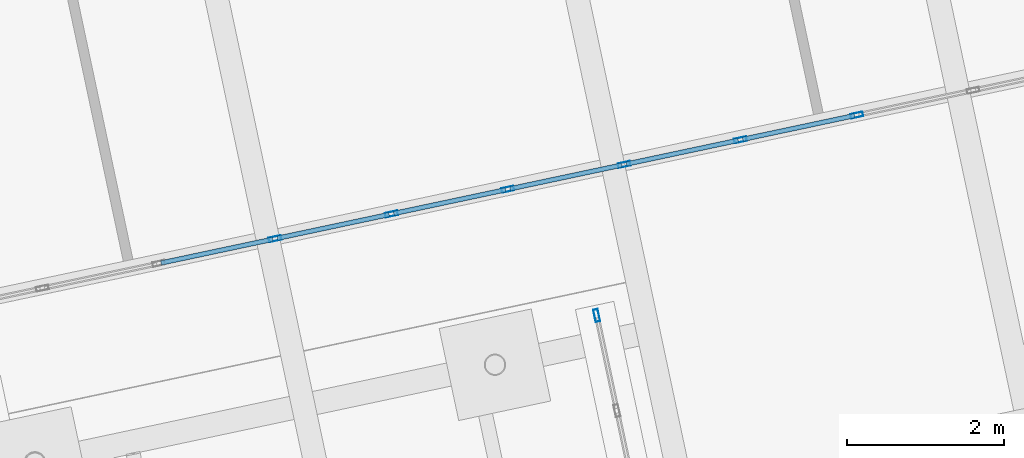
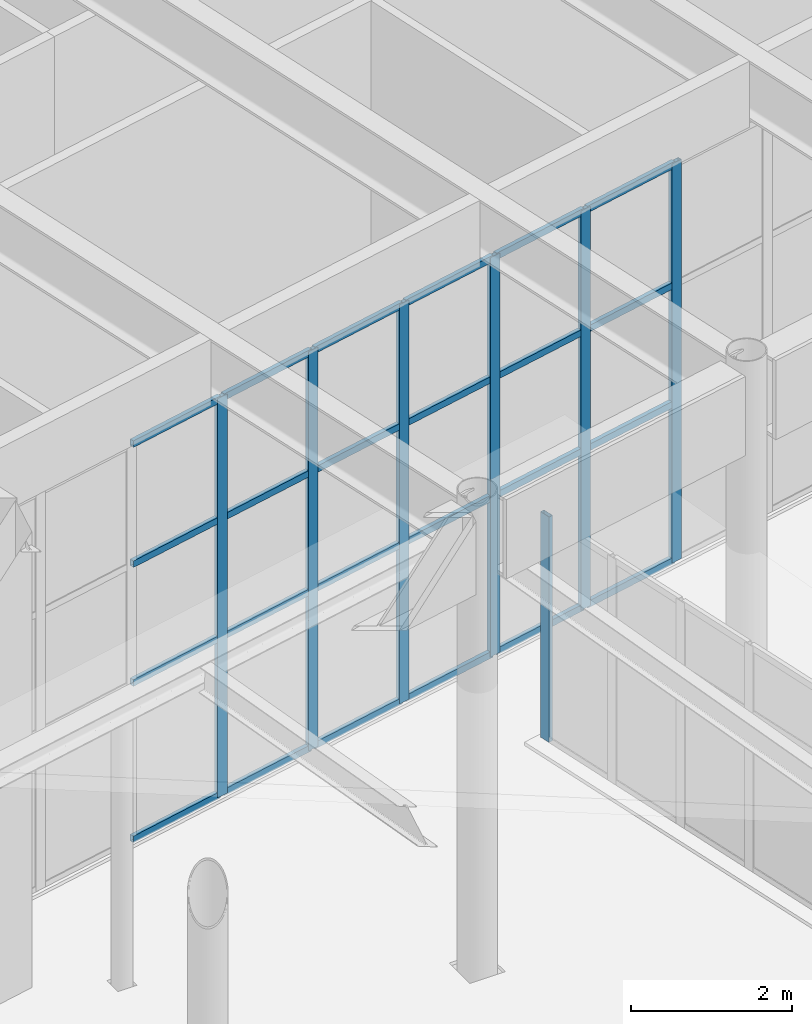
# One storey, part 85 of 239: 31 members, 2 elements without a shape of their own.
"""IFC4 building model written with IfcOpenShell, lengths in metres."""

import ifcopenshell
import ifcopenshell.guid

model = None  # the IFC model being written
_history = None  # IfcOwnerHistory: only IFC2X3 demands one
_inside = {}  # id of a spatial element -> (the spatial element, [elements in it])
_under = {}  # id of a project, library or spatial element -> (it, [spatial elements below it])
_declared = {}  # id of a project -> (the project, [libraries it declares])
_typed = {}  # id of a type object -> (the type object, [elements of that type])
_made_of = {}  # id of a material, layer set ... -> (it, [elements and type objects made of it])


def new_model(schema):
    """Start an empty IFC model of exactly this schema.

    Asked for "IFC4X3", IfcOpenShell would pick the latest addendum, in which some entities
    have other attributes; the version numbers below select the first issue.
    IFC2X3 requires an IfcOwnerHistory on every rooted entity: one is made here for all.
    """
    global model, _history
    if schema == "IFC4X3":
        model = ifcopenshell.file(schema_version=(4, 3, 0, 0))
    else:
        model = ifcopenshell.file(schema=schema)
    _inside.clear()
    _under.clear()
    _declared.clear()
    _typed.clear()
    _made_of.clear()
    _history = None
    if model.schema == "IFC2X3":
        org = make("IfcOrganization", Name="unknown")
        user = make(
            "IfcPersonAndOrganization",
            ThePerson=make("IfcPerson", FamilyName="unknown"),
            TheOrganization=org,
        )
        app = make(
            "IfcApplication",
            ApplicationDeveloper=org,
            Version="unknown",
            ApplicationFullName="unknown",
            ApplicationIdentifier="unknown",
        )
        _history = make(
            "IfcOwnerHistory",
            OwningUser=user,
            OwningApplication=app,
            ChangeAction="ADDED",
            CreationDate=0,
        )
    return model


def make(cls, **values):
    """One entity of the class cls with the attributes given. An attribute that is None is left unset."""
    return model.create_entity(
        cls, **{name: value for name, value in values.items() if value is not None}
    )


def rooted(cls, **values):
    """An entity with a GlobalId (a new one), such as an element, a storey or a relation."""
    return make(cls, GlobalId=ifcopenshell.guid.new(), OwnerHistory=_history, **values)


def si_unit(unit_type, name, prefix=None):
    """IfcSIUnit, for example si_unit("LENGTHUNIT", "METRE", prefix="MILLI")."""
    return make("IfcSIUnit", UnitType=unit_type, Prefix=prefix, Name=name)


def assignment(units):
    """IfcUnitAssignment: the units of a project."""
    return None if units is None else make("IfcUnitAssignment", Units=units)


def point(xyz):
    """IfcCartesianPoint."""
    return None if xyz is None else make("IfcCartesianPoint", Coordinates=xyz)


def direction(xyz):
    """IfcDirection."""
    return None if xyz is None else make("IfcDirection", DirectionRatios=xyz)


def frame(location, z_axis=None, x_axis=None):
    """IfcAxis2Placement3D, a coordinate frame: its origin and axes. An axis left out is left unset."""
    return make(
        "IfcAxis2Placement3D",
        Location=point(location),
        Axis=direction(z_axis),
        RefDirection=direction(x_axis),
    )


def frame_2d(location, x_axis=None):
    """IfcAxis2Placement2D, a coordinate frame in the plane: its origin and x axis."""
    return make(
        "IfcAxis2Placement2D", Location=point(location), RefDirection=direction(x_axis)
    )


def origin():
    """The frame at (0, 0, 0) with its axes left unset."""
    return frame((0.0, 0.0, 0.0))


def origin_2d():
    """The frame at (0, 0) in the plane with its x axis left unset."""
    return frame_2d((0.0, 0.0))


def place(relative_to, where):
    """IfcLocalPlacement: puts the frame where relative to a parent placement (None: the world)."""
    return make(
        "IfcLocalPlacement", PlacementRelTo=relative_to, RelativePlacement=where
    )


def context(
    kind, dimensions, precision=None, world=None, true_north=None, identifier=None
):
    """IfcGeometricRepresentationContext, for example the 3D "Model" context."""
    return make(
        "IfcGeometricRepresentationContext",
        ContextIdentifier=identifier,
        ContextType=kind,
        CoordinateSpaceDimension=dimensions,
        Precision=precision,
        WorldCoordinateSystem=world,
        TrueNorth=true_north,
    )


def subcontext(parent, identifier, kind, view, scale=None):
    """IfcGeometricRepresentationSubContext, for example "Body" below "Model"."""
    return make(
        "IfcGeometricRepresentationSubContext",
        ContextIdentifier=identifier,
        ContextType=kind,
        ParentContext=parent,
        TargetScale=scale,
        TargetView=view,
    )


def project(units=None, contexts=None):
    """IfcProject with its units and contexts."""
    return rooted(
        "IfcProject",
        Name="project",
        RepresentationContexts=contexts,
        UnitsInContext=assignment(units),
    )


def spatial(cls, under=None, at=None, **own):
    """A site, building, storey or space (cls), placed at a placement, below another one or the project."""
    s = rooted(cls, ObjectPlacement=at, **own)
    if under is not None:
        _under.setdefault(under.id(), (under, []))[1].append(s)
    return s


def profile(cls, at=None, kind="AREA", **sizes):
    """A parametric profile (cls). Its sizes go by their IFC names, for example OverallWidth=200.0."""
    return make(cls, ProfileType=kind, Position=at, **sizes)


def hollow_rectangle(**sizes):
    """IfcRectangleHollowProfileDef."""
    return profile("IfcRectangleHollowProfileDef", **sizes)


def extrude(swept, where, along, depth):
    """IfcExtrudedAreaSolid: the profile swept, set in the frame where, extruded along a direction by depth."""
    return make(
        "IfcExtrudedAreaSolid",
        SweptArea=swept,
        Position=where,
        ExtrudedDirection=direction(along),
        Depth=depth,
    )


def shape(context_of_items, identifier, shape_type, items):
    """IfcShapeRepresentation: the items that make up one representation, for example the "Body"."""
    return make(
        "IfcShapeRepresentation",
        ContextOfItems=context_of_items,
        RepresentationIdentifier=identifier,
        RepresentationType=shape_type,
        Items=items,
    )


def material(Name=None, Category=None):
    """IfcMaterial."""
    return make("IfcMaterial", Name=Name, Category=Category)


def material_profile(
    of_material, cross_section, Name=None, Category=None, Priority=None
):
    """IfcMaterialProfile: a cross section and its material."""
    return make(
        "IfcMaterialProfile",
        Name=Name,
        Material=of_material,
        Profile=cross_section,
        Priority=Priority,
        Category=Category,
    )


def profile_set(profiles, Name=None, composite=None):
    """IfcMaterialProfileSet."""
    return make(
        "IfcMaterialProfileSet",
        Name=Name,
        MaterialProfiles=profiles,
        CompositeProfile=composite,
    )


def made_of(thing, what):
    """Note that an element or type object is made of a material, layer set ...; save() writes the relation."""
    if what is not None:
        _made_of.setdefault(what.id(), (what, []))[1].append(thing)
    return thing


def type_object(cls, material=None, **own):
    """A type object (cls), such as IfcWallType, which elements share."""
    return made_of(rooted(cls, **own), material)


def element(
    cls,
    number,
    at=None,
    inside=None,
    cuts=None,
    type_object=None,
    material=None,
    context=None,
    identifier="Body",
    shape_type=None,
    held_by="IfcProductDefinitionShape",
    body=None,
    shapes=None,
    **own,
):
    """One element of the class cls, such as IfcWall. Its Tag is "e" and its number.

    at: its placement. inside: the storey or other place that contains it. cuts: it is an
    opening in that element (IfcRelVoidsElement). A single representation is given by context,
    identifier, shape_type and body (its items); several are given by shapes. held_by: the class
    of the entity that holds the representations. save() writes the other relations.
    """
    e = rooted(cls, Tag="e%d" % number, ObjectPlacement=at, **own)
    if body is not None:
        shapes = [shape(context, identifier, shape_type, body)]
    if shapes is not None:
        e.Representation = make(held_by, Representations=shapes)
    if inside is not None:
        _inside.setdefault(inside.id(), (inside, []))[1].append(e)
    if cuts is not None:
        rooted(
            "IfcRelVoidsElement", RelatingBuildingElement=cuts, RelatedOpeningElement=e
        )
    if type_object is not None:
        _typed.setdefault(type_object.id(), (type_object, []))[1].append(e)
    return made_of(e, material)


def aggregate(whole, parts):
    """IfcRelAggregates: a whole, such as a stair, and the parts it consists of."""
    return rooted("IfcRelAggregates", RelatingObject=whole, RelatedObjects=parts)


def save(model, path):
    """Write the relations noted so far, then the file.

    IfcRelAggregates (storeys below a building ...), IfcRelContainedInSpatialStructure (elements
    in a storey), IfcRelDefinesByType, IfcRelAssociatesMaterial and IfcRelDeclares: one each for
    every whole, place, type object, material and project.
    """
    for whole, parts in _under.values():
        aggregate(whole, parts)
    for where, things in _inside.values():
        rooted(
            "IfcRelContainedInSpatialStructure",
            RelatedElements=things,
            RelatingStructure=where,
        )
    for kind, things in _typed.values():
        rooted("IfcRelDefinesByType", RelatedObjects=things, RelatingType=kind)
    for what, things in _made_of.values():
        rooted("IfcRelAssociatesMaterial", RelatedObjects=things, RelatingMaterial=what)
    for by, libraries in _declared.values():
        rooted("IfcRelDeclares", RelatingContext=by, RelatedDefinitions=libraries)
    model.write(path)


model = new_model("IFC4")

# Units and contexts
model_context = context("Model", 3, precision=1e-05, world=origin(), true_north=direction((0.0, 1.0)))
body_context = subcontext(model_context, "Body", "Model", "MODEL_VIEW")
ifc_project = project(units=[si_unit("LENGTHUNIT", "METRE"), si_unit("AREAUNIT", "SQUARE_METRE"), si_unit("VOLUMEUNIT", "CUBIC_METRE"), si_unit("PLANEANGLEUNIT", "RADIAN"), si_unit("MASSUNIT", "GRAM", prefix="KILO")], contexts=[model_context])

# Site, building, storey
site_placement = place(None, origin())
site = spatial("IfcSite", under=ifc_project, at=site_placement, CompositionType="ELEMENT")
building_placement = place(site_placement, origin())
building = spatial("IfcBuilding", under=site, at=building_placement, Name="Okhra Congress Centre", CompositionType="ELEMENT")
storey_placement = place(building_placement, origin())
storey = spatial("IfcBuildingStorey", under=building, at=storey_placement, Name="L00", CompositionType="ELEMENT", Elevation=0.0)

# Curtain wall, members
ifc_material_1 = material(Name="Aluminium curtain wall, triple glazing", Category="aluminium")
curtain_wall_type_1 = type_object("IfcCurtainWallType", Name="Curtain wall 1500 module", PredefinedType="NOTDEFINED", material=ifc_material_1)
curtain_wall_1_placement = place(storey_placement, origin())
curtain_wall_1 = element("IfcCurtainWall", 1, at=curtain_wall_1_placement, inside=storey, type_object=curtain_wall_type_1, Name="Ground curtain wall S4", PredefinedType="NOTDEFINED")
ifc_material_2 = material(Name="Aluminium alloy EN AW-6063 T66", Category="aluminium")
ifc_material_profile_1 = material_profile(ifc_material_2, hollow_rectangle(XDim=0.06005859375, YDim=0.159912109375, WallThickness=0.00390625, at=origin_2d()), Name="RHS 60x160x4")
ifc_profile_set_1 = profile_set([ifc_material_profile_1], Name="Aluminium alloy EN AW-6063 T66")
member_type_1 = type_object("IfcMemberType", Name="Curtain wall mullion 60x160", PredefinedType="MULLION", material=ifc_profile_set_1)
member_1_placement = place(storey_placement, frame((152.525634765625, 51.224853515625, 0.0), z_axis=(0.0, 0.0, 1.0), x_axis=(-0.207911690818, 0.978147600734, 0.0)))
member_1 = element("IfcMember", 2, at=member_1_placement, type_object=member_type_1, Name="CW7 mullion 4", PredefinedType="MULLION", context=body_context, shape_type="SweptSolid", body=[
    extrude(hollow_rectangle(XDim=0.06005859375, YDim=0.159912109375, WallThickness=0.00390625, at=origin_2d()), origin(), (0.0, 0.0, 1.0), 6.050048828125),
])
member_2_placement = place(storey_placement, frame((154.009521484375, 51.5400390625, 0.0), z_axis=(0.0, 0.0, 1.0), x_axis=(-0.207911690818, 0.978147600734, 0.0)))
member_2 = element("IfcMember", 3, at=member_2_placement, type_object=member_type_1, Name="CW7 mullion 5", PredefinedType="MULLION", context=body_context, shape_type="SweptSolid", body=[
    extrude(hollow_rectangle(XDim=0.06005859375, YDim=0.159912109375, WallThickness=0.00390625, at=origin_2d()), origin(), (0.0, 0.0, 1.0), 6.050048828125),
])
member_3_placement = place(storey_placement, frame((155.493408203125, 51.85546875, 0.0), z_axis=(0.0, 0.0, 1.0), x_axis=(-0.207911690818, 0.978147600734, 0.0)))
member_3 = element("IfcMember", 4, at=member_3_placement, type_object=member_type_1, Name="CW7 mullion 6", PredefinedType="MULLION", context=body_context, shape_type="SweptSolid", body=[
    extrude(hollow_rectangle(XDim=0.06005859375, YDim=0.159912109375, WallThickness=0.00390625, at=origin_2d()), origin(), (0.0, 0.0, 1.0), 6.050048828125),
])
member_4_placement = place(storey_placement, frame((156.977294921875, 52.1708984375, 0.0), z_axis=(0.0, 0.0, 1.0), x_axis=(-0.207911690818, 0.978147600734, 0.0)))
member_4 = element("IfcMember", 5, at=member_4_placement, type_object=member_type_1, Name="CW7 mullion 7", PredefinedType="MULLION", context=body_context, shape_type="SweptSolid", body=[
    extrude(hollow_rectangle(XDim=0.06005859375, YDim=0.159912109375, WallThickness=0.00390625, at=origin_2d()), origin(), (0.0, 0.0, 1.0), 6.050048828125),
])
member_5_placement = place(storey_placement, frame((158.461181640625, 52.486328125, 0.0), z_axis=(0.0, 0.0, 1.0), x_axis=(-0.207911690818, 0.978147600734, 0.0)))
member_5 = element("IfcMember", 6, at=member_5_placement, type_object=member_type_1, Name="CW7 mullion 8", PredefinedType="MULLION", context=body_context, shape_type="SweptSolid", body=[
    extrude(hollow_rectangle(XDim=0.06005859375, YDim=0.159912109375, WallThickness=0.00390625, at=origin_2d()), origin(), (0.0, 0.0, 1.0), 6.050048828125),
])
member_6_placement = place(storey_placement, frame((159.945068359375, 52.8017578125, 0.0), z_axis=(0.0, 0.0, 1.0), x_axis=(-0.207911690818, 0.978147600734, 0.0)))
member_6 = element("IfcMember", 7, at=member_6_placement, type_object=member_type_1, Name="CW7 mullion 9", PredefinedType="MULLION", context=body_context, shape_type="SweptSolid", body=[
    extrude(hollow_rectangle(XDim=0.06005859375, YDim=0.159912109375, WallThickness=0.00390625, at=origin_2d()), origin(), (0.0, 0.0, 1.0), 6.050048828125),
])

# Curtain wall, member
curtain_wall_type_2 = type_object("IfcCurtainWallType", Name="Curtain wall 1200 module", PredefinedType="NOTDEFINED", material=ifc_material_1)
curtain_wall_2_placement = place(storey_placement, origin())
curtain_wall_2 = element("IfcCurtainWall", 8, at=curtain_wall_2_placement, inside=storey, type_object=curtain_wall_type_2, Name="Porch glazed side 2", PredefinedType="NOTDEFINED")
member_7_placement = place(storey_placement, frame((156.627685546875, 50.24609375, 0.0), z_axis=(0.0, 0.0, 1.0), x_axis=(-0.978147600734, -0.207911690818, 0.0)))
member_7 = element("IfcMember", 9, at=member_7_placement, type_object=member_type_1, Name="CW8 mullion 9", PredefinedType="MULLION", context=body_context, shape_type="SweptSolid", body=[
    extrude(hollow_rectangle(XDim=0.06005859375, YDim=0.159912109375, WallThickness=0.00390625, at=origin_2d()), origin(), (0.0, 0.0, 1.0), 3.415771484375),
])
aggregate(curtain_wall_2, [member_7])

# Member
ifc_material_profile_2 = material_profile(ifc_material_2, hollow_rectangle(XDim=0.06005859375, YDim=0.10009765625, WallThickness=0.00390625, at=origin_2d()), Name="RHS 60x100x4")
ifc_profile_set_2 = profile_set([ifc_material_profile_2], Name="Aluminium alloy EN AW-6063 T66")
member_type_2 = type_object("IfcMemberType", Name="Curtain wall transom 60x100", PredefinedType="USERDEFINED", material=ifc_profile_set_2)
member_8_placement = place(storey_placement, frame((151.071044921875, 50.91552734375, 0.030029296875), z_axis=(0.978144370647, 0.2079268866, 0.0), x_axis=(-0.2079268866, 0.978144370647, 0.0)))
member_8 = element("IfcMember", 10, at=member_8_placement, type_object=member_type_2, Name="CW7 transom 3.1", ObjectType="TRANSOM", PredefinedType="USERDEFINED", context=body_context, shape_type="SweptSolid", body=[
    extrude(hollow_rectangle(XDim=0.06005859375, YDim=0.10009765625, WallThickness=0.00390625, at=origin_2d()), origin(), (0.0, 0.0, 1.0), 1.45703125),
])

member_9_placement = place(storey_placement, frame((151.071044921875, 50.91552734375, 2.39990234375), z_axis=(0.978144370647, 0.2079268866, 0.0), x_axis=(-0.2079268866, 0.978144370647, 0.0)))
member_9 = element("IfcMember", 11, at=member_9_placement, type_object=member_type_2, Name="CW7 transom 3.2", ObjectType="TRANSOM", PredefinedType="USERDEFINED", context=body_context, shape_type="SweptSolid", body=[
    extrude(hollow_rectangle(XDim=0.06005859375, YDim=0.10009765625, WallThickness=0.00390625, at=origin_2d()), origin(), (0.0, 0.0, 1.0), 1.45703125),
])

member_10_placement = place(storey_placement, frame((151.071044921875, 50.91552734375, 4.199951171875), z_axis=(0.978144370647, 0.2079268866, 0.0), x_axis=(-0.2079268866, 0.978144370647, 0.0)))
member_10 = element("IfcMember", 12, at=member_10_placement, type_object=member_type_2, Name="CW7 transom 3.3", ObjectType="TRANSOM", PredefinedType="USERDEFINED", context=body_context, shape_type="SweptSolid", body=[
    extrude(hollow_rectangle(XDim=0.06005859375, YDim=0.10009765625, WallThickness=0.00390625, at=origin_2d()), origin(), (0.0, 0.0, 1.0), 1.45703125),
])

member_11_placement = place(storey_placement, frame((151.071044921875, 50.91552734375, 6.02001953125), z_axis=(0.978144370647, 0.2079268866, 0.0), x_axis=(-0.2079268866, 0.978144370647, 0.0)))
member_11 = element("IfcMember", 13, at=member_11_placement, type_object=member_type_2, Name="CW7 transom 3.4", ObjectType="TRANSOM", PredefinedType="USERDEFINED", context=body_context, shape_type="SweptSolid", body=[
    extrude(hollow_rectangle(XDim=0.06005859375, YDim=0.10009765625, WallThickness=0.00390625, at=origin_2d()), origin(), (0.0, 0.0, 1.0), 1.45703125),
])

member_12_placement = place(storey_placement, frame((152.554931640625, 51.23095703125, 0.030029296875), z_axis=(0.978144370647, 0.2079268866, 0.0), x_axis=(-0.2079268866, 0.978144370647, 0.0)))
member_12 = element("IfcMember", 14, at=member_12_placement, type_object=member_type_2, Name="CW7 transom 4.1", ObjectType="TRANSOM", PredefinedType="USERDEFINED", context=body_context, shape_type="SweptSolid", body=[
    extrude(hollow_rectangle(XDim=0.06005859375, YDim=0.10009765625, WallThickness=0.00390625, at=origin_2d()), origin(), (0.0, 0.0, 1.0), 1.45703125),
])

member_13_placement = place(storey_placement, frame((152.554931640625, 51.23095703125, 2.39990234375), z_axis=(0.978144370647, 0.2079268866, 0.0), x_axis=(-0.2079268866, 0.978144370647, 0.0)))
member_13 = element("IfcMember", 15, at=member_13_placement, type_object=member_type_2, Name="CW7 transom 4.2", ObjectType="TRANSOM", PredefinedType="USERDEFINED", context=body_context, shape_type="SweptSolid", body=[
    extrude(hollow_rectangle(XDim=0.06005859375, YDim=0.10009765625, WallThickness=0.00390625, at=origin_2d()), origin(), (0.0, 0.0, 1.0), 1.45703125),
])

member_14_placement = place(storey_placement, frame((152.554931640625, 51.23095703125, 4.199951171875), z_axis=(0.978144370647, 0.2079268866, 0.0), x_axis=(-0.2079268866, 0.978144370647, 0.0)))
member_14 = element("IfcMember", 16, at=member_14_placement, type_object=member_type_2, Name="CW7 transom 4.3", ObjectType="TRANSOM", PredefinedType="USERDEFINED", context=body_context, shape_type="SweptSolid", body=[
    extrude(hollow_rectangle(XDim=0.06005859375, YDim=0.10009765625, WallThickness=0.00390625, at=origin_2d()), origin(), (0.0, 0.0, 1.0), 1.45703125),
])

member_15_placement = place(storey_placement, frame((152.554931640625, 51.23095703125, 6.02001953125), z_axis=(0.978144370647, 0.2079268866, 0.0), x_axis=(-0.2079268866, 0.978144370647, 0.0)))
member_15 = element("IfcMember", 17, at=member_15_placement, type_object=member_type_2, Name="CW7 transom 4.4", ObjectType="TRANSOM", PredefinedType="USERDEFINED", context=body_context, shape_type="SweptSolid", body=[
    extrude(hollow_rectangle(XDim=0.06005859375, YDim=0.10009765625, WallThickness=0.00390625, at=origin_2d()), origin(), (0.0, 0.0, 1.0), 1.45703125),
])

member_16_placement = place(storey_placement, frame((154.038818359375, 51.54638671875, 0.030029296875), z_axis=(0.978144370647, 0.2079268866, 0.0), x_axis=(-0.2079268866, 0.978144370647, 0.0)))
member_16 = element("IfcMember", 18, at=member_16_placement, type_object=member_type_2, Name="CW7 transom 5.1", ObjectType="TRANSOM", PredefinedType="USERDEFINED", context=body_context, shape_type="SweptSolid", body=[
    extrude(hollow_rectangle(XDim=0.06005859375, YDim=0.10009765625, WallThickness=0.00390625, at=origin_2d()), origin(), (0.0, 0.0, 1.0), 1.45703125),
])

member_17_placement = place(storey_placement, frame((154.038818359375, 51.54638671875, 2.39990234375), z_axis=(0.978144370647, 0.2079268866, 0.0), x_axis=(-0.2079268866, 0.978144370647, 0.0)))
member_17 = element("IfcMember", 19, at=member_17_placement, type_object=member_type_2, Name="CW7 transom 5.2", ObjectType="TRANSOM", PredefinedType="USERDEFINED", context=body_context, shape_type="SweptSolid", body=[
    extrude(hollow_rectangle(XDim=0.06005859375, YDim=0.10009765625, WallThickness=0.00390625, at=origin_2d()), origin(), (0.0, 0.0, 1.0), 1.45703125),
])

member_18_placement = place(storey_placement, frame((154.038818359375, 51.54638671875, 4.199951171875), z_axis=(0.978144370647, 0.2079268866, 0.0), x_axis=(-0.2079268866, 0.978144370647, 0.0)))
member_18 = element("IfcMember", 20, at=member_18_placement, type_object=member_type_2, Name="CW7 transom 5.3", ObjectType="TRANSOM", PredefinedType="USERDEFINED", context=body_context, shape_type="SweptSolid", body=[
    extrude(hollow_rectangle(XDim=0.06005859375, YDim=0.10009765625, WallThickness=0.00390625, at=origin_2d()), origin(), (0.0, 0.0, 1.0), 1.45703125),
])

member_19_placement = place(storey_placement, frame((154.038818359375, 51.54638671875, 6.02001953125), z_axis=(0.978144370647, 0.2079268866, 0.0), x_axis=(-0.2079268866, 0.978144370647, 0.0)))
member_19 = element("IfcMember", 21, at=member_19_placement, type_object=member_type_2, Name="CW7 transom 5.4", ObjectType="TRANSOM", PredefinedType="USERDEFINED", context=body_context, shape_type="SweptSolid", body=[
    extrude(hollow_rectangle(XDim=0.06005859375, YDim=0.10009765625, WallThickness=0.00390625, at=origin_2d()), origin(), (0.0, 0.0, 1.0), 1.45703125),
])

member_20_placement = place(storey_placement, frame((155.522705078125, 51.86181640625, 0.030029296875), z_axis=(0.978144370647, 0.2079268866, 0.0), x_axis=(-0.2079268866, 0.978144370647, 0.0)))
member_20 = element("IfcMember", 22, at=member_20_placement, type_object=member_type_2, Name="CW7 transom 6.1", ObjectType="TRANSOM", PredefinedType="USERDEFINED", context=body_context, shape_type="SweptSolid", body=[
    extrude(hollow_rectangle(XDim=0.06005859375, YDim=0.10009765625, WallThickness=0.00390625, at=origin_2d()), origin(), (0.0, 0.0, 1.0), 1.45703125),
])

member_21_placement = place(storey_placement, frame((155.522705078125, 51.86181640625, 2.39990234375), z_axis=(0.978144370647, 0.2079268866, 0.0), x_axis=(-0.2079268866, 0.978144370647, 0.0)))
member_21 = element("IfcMember", 23, at=member_21_placement, type_object=member_type_2, Name="CW7 transom 6.2", ObjectType="TRANSOM", PredefinedType="USERDEFINED", context=body_context, shape_type="SweptSolid", body=[
    extrude(hollow_rectangle(XDim=0.06005859375, YDim=0.10009765625, WallThickness=0.00390625, at=origin_2d()), origin(), (0.0, 0.0, 1.0), 1.45703125),
])

member_22_placement = place(storey_placement, frame((155.522705078125, 51.86181640625, 4.199951171875), z_axis=(0.978144370647, 0.2079268866, 0.0), x_axis=(-0.2079268866, 0.978144370647, 0.0)))
member_22 = element("IfcMember", 24, at=member_22_placement, type_object=member_type_2, Name="CW7 transom 6.3", ObjectType="TRANSOM", PredefinedType="USERDEFINED", context=body_context, shape_type="SweptSolid", body=[
    extrude(hollow_rectangle(XDim=0.06005859375, YDim=0.10009765625, WallThickness=0.00390625, at=origin_2d()), origin(), (0.0, 0.0, 1.0), 1.45703125),
])

member_23_placement = place(storey_placement, frame((155.522705078125, 51.86181640625, 6.02001953125), z_axis=(0.978144370647, 0.2079268866, 0.0), x_axis=(-0.2079268866, 0.978144370647, 0.0)))
member_23 = element("IfcMember", 25, at=member_23_placement, type_object=member_type_2, Name="CW7 transom 6.4", ObjectType="TRANSOM", PredefinedType="USERDEFINED", context=body_context, shape_type="SweptSolid", body=[
    extrude(hollow_rectangle(XDim=0.06005859375, YDim=0.10009765625, WallThickness=0.00390625, at=origin_2d()), origin(), (0.0, 0.0, 1.0), 1.45703125),
])

member_24_placement = place(storey_placement, frame((157.006591796875, 52.17724609375, 0.030029296875), z_axis=(0.978144370647, 0.2079268866, 0.0), x_axis=(-0.2079268866, 0.978144370647, 0.0)))
member_24 = element("IfcMember", 26, at=member_24_placement, type_object=member_type_2, Name="CW7 transom 7.1", ObjectType="TRANSOM", PredefinedType="USERDEFINED", context=body_context, shape_type="SweptSolid", body=[
    extrude(hollow_rectangle(XDim=0.06005859375, YDim=0.10009765625, WallThickness=0.00390625, at=origin_2d()), origin(), (0.0, 0.0, 1.0), 1.45703125),
])

member_25_placement = place(storey_placement, frame((157.006591796875, 52.17724609375, 2.39990234375), z_axis=(0.978144370647, 0.2079268866, 0.0), x_axis=(-0.2079268866, 0.978144370647, 0.0)))
member_25 = element("IfcMember", 27, at=member_25_placement, type_object=member_type_2, Name="CW7 transom 7.2", ObjectType="TRANSOM", PredefinedType="USERDEFINED", context=body_context, shape_type="SweptSolid", body=[
    extrude(hollow_rectangle(XDim=0.06005859375, YDim=0.10009765625, WallThickness=0.00390625, at=origin_2d()), origin(), (0.0, 0.0, 1.0), 1.45703125),
])

member_26_placement = place(storey_placement, frame((157.006591796875, 52.17724609375, 4.199951171875), z_axis=(0.978144370647, 0.2079268866, 0.0), x_axis=(-0.2079268866, 0.978144370647, 0.0)))
member_26 = element("IfcMember", 28, at=member_26_placement, type_object=member_type_2, Name="CW7 transom 7.3", ObjectType="TRANSOM", PredefinedType="USERDEFINED", context=body_context, shape_type="SweptSolid", body=[
    extrude(hollow_rectangle(XDim=0.06005859375, YDim=0.10009765625, WallThickness=0.00390625, at=origin_2d()), origin(), (0.0, 0.0, 1.0), 1.45703125),
])

member_27_placement = place(storey_placement, frame((157.006591796875, 52.17724609375, 6.02001953125), z_axis=(0.978144370647, 0.2079268866, 0.0), x_axis=(-0.2079268866, 0.978144370647, 0.0)))
member_27 = element("IfcMember", 29, at=member_27_placement, type_object=member_type_2, Name="CW7 transom 7.4", ObjectType="TRANSOM", PredefinedType="USERDEFINED", context=body_context, shape_type="SweptSolid", body=[
    extrude(hollow_rectangle(XDim=0.06005859375, YDim=0.10009765625, WallThickness=0.00390625, at=origin_2d()), origin(), (0.0, 0.0, 1.0), 1.45703125),
])

member_28_placement = place(storey_placement, frame((158.490478515625, 52.49267578125, 0.030029296875), z_axis=(0.978144370647, 0.2079268866, 0.0), x_axis=(-0.2079268866, 0.978144370647, 0.0)))
member_28 = element("IfcMember", 30, at=member_28_placement, type_object=member_type_2, Name="CW7 transom 8.1", ObjectType="TRANSOM", PredefinedType="USERDEFINED", context=body_context, shape_type="SweptSolid", body=[
    extrude(hollow_rectangle(XDim=0.06005859375, YDim=0.10009765625, WallThickness=0.00390625, at=origin_2d()), origin(), (0.0, 0.0, 1.0), 1.45703125),
])

member_29_placement = place(storey_placement, frame((158.490478515625, 52.49267578125, 2.39990234375), z_axis=(0.978144370647, 0.2079268866, 0.0), x_axis=(-0.2079268866, 0.978144370647, 0.0)))
member_29 = element("IfcMember", 31, at=member_29_placement, type_object=member_type_2, Name="CW7 transom 8.2", ObjectType="TRANSOM", PredefinedType="USERDEFINED", context=body_context, shape_type="SweptSolid", body=[
    extrude(hollow_rectangle(XDim=0.06005859375, YDim=0.10009765625, WallThickness=0.00390625, at=origin_2d()), origin(), (0.0, 0.0, 1.0), 1.45703125),
])

member_30_placement = place(storey_placement, frame((158.490478515625, 52.49267578125, 4.199951171875), z_axis=(0.978144370647, 0.2079268866, 0.0), x_axis=(-0.2079268866, 0.978144370647, 0.0)))
member_30 = element("IfcMember", 32, at=member_30_placement, type_object=member_type_2, Name="CW7 transom 8.3", ObjectType="TRANSOM", PredefinedType="USERDEFINED", context=body_context, shape_type="SweptSolid", body=[
    extrude(hollow_rectangle(XDim=0.06005859375, YDim=0.10009765625, WallThickness=0.00390625, at=origin_2d()), origin(), (0.0, 0.0, 1.0), 1.45703125),
])

member_31_placement = place(storey_placement, frame((158.490478515625, 52.49267578125, 6.02001953125), z_axis=(0.978144370647, 0.2079268866, 0.0), x_axis=(-0.2079268866, 0.978144370647, 0.0)))
member_31 = element("IfcMember", 33, at=member_31_placement, type_object=member_type_2, Name="CW7 transom 8.4", ObjectType="TRANSOM", PredefinedType="USERDEFINED", context=body_context, shape_type="SweptSolid", body=[
    extrude(hollow_rectangle(XDim=0.06005859375, YDim=0.10009765625, WallThickness=0.00390625, at=origin_2d()), origin(), (0.0, 0.0, 1.0), 1.45703125),
])

aggregate(curtain_wall_1, [member_1, member_2, member_3, member_4, member_5, member_6, member_8, member_9, member_10, member_11, member_12, member_13, member_14, member_15, member_16, member_17, member_18, member_19, member_20, member_21, member_22, member_23, member_24, member_25, member_26, member_27, member_28, member_29, member_30, member_31])

save(model, "model.ifc")
